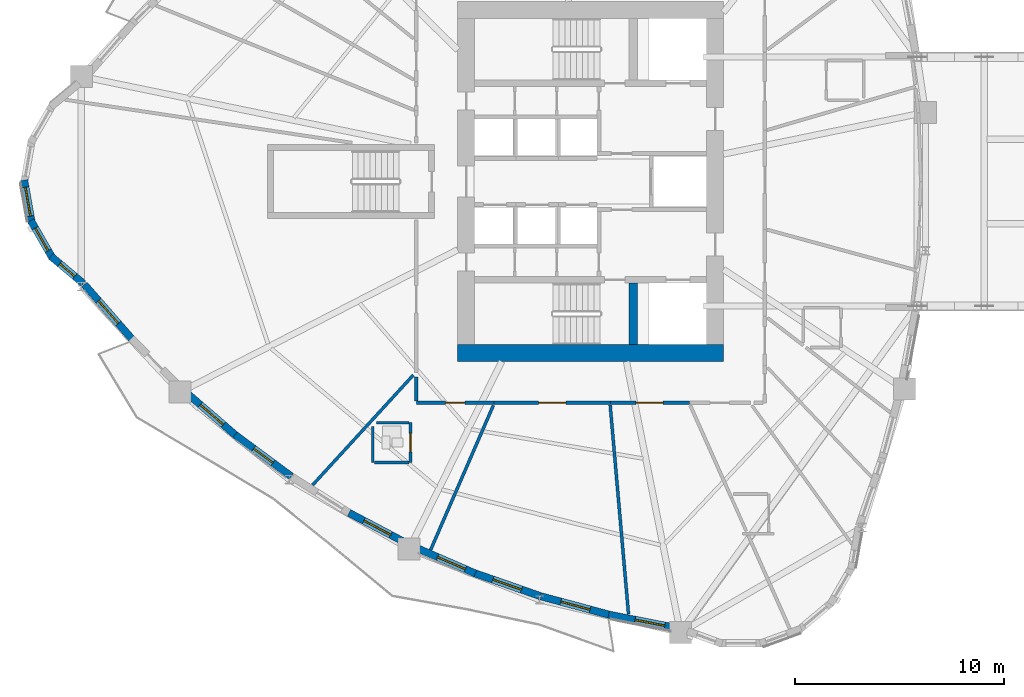
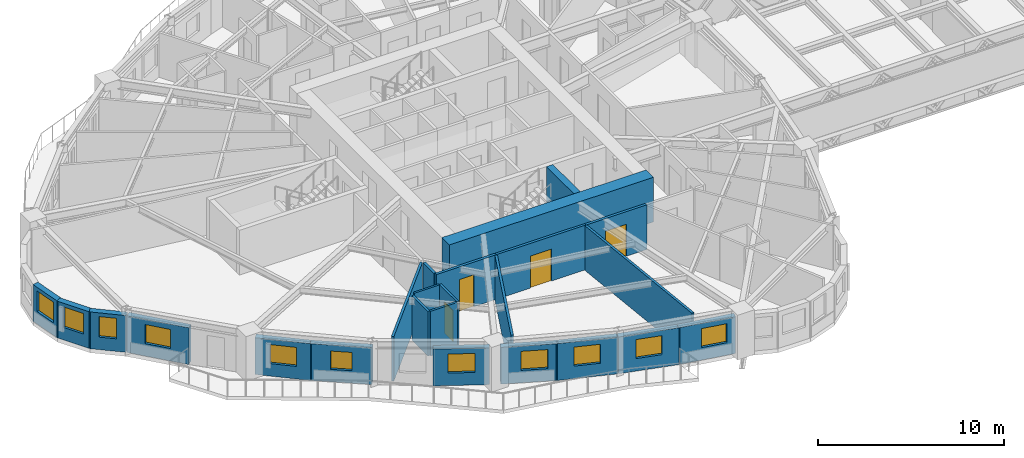
# One storey, part 6 of 18: 24 walls, 11 windows, 4 doors, 15 openings.
"""IFC4 building model written with IfcOpenShell, lengths in metres."""

from ifc_helpers import new_model, si_unit, direction, frame, frame_2d, origin, place, context, subcontext, project, spatial, rectangle, extrude, source, transform, mapped, material, layer, layer_set, type_object, element, fill, save


model = new_model("IFC4")

# Units and contexts
model_context = context("Model", 3, precision=1e-05, world=origin(), true_north=direction((0.0, 1.0)))
body_context = subcontext(model_context, "Body", "Model", "MODEL_VIEW")
ifc_project = project(units=[si_unit("LENGTHUNIT", "METRE"), si_unit("AREAUNIT", "SQUARE_METRE"), si_unit("VOLUMEUNIT", "CUBIC_METRE"), si_unit("PLANEANGLEUNIT", "RADIAN"), si_unit("MASSUNIT", "GRAM", prefix="KILO")], contexts=[model_context])

# Site, building, storey
site_placement = place(None, origin())
site = spatial("IfcSite", under=ifc_project, at=site_placement, CompositionType="ELEMENT")
building_placement = place(site_placement, origin())
building = spatial("IfcBuilding", under=site, at=building_placement, Name="Qafzar Sky-Pleat Residences", CompositionType="ELEMENT")
storey_placement = place(building_placement, frame((0.0, 0.0, 27.0)))
storey = spatial("IfcBuildingStorey", under=building, at=storey_placement, Name="L07", CompositionType="ELEMENT", Elevation=27.0)

# Wall, opening, door
ifc_material_1 = material(Name="Acoustic gypsum plasterboard partition", Category="gypsum")
ifc_layer_1 = layer(ifc_material_1, 0.159912109375)
ifc_layer_set_1 = layer_set([ifc_layer_1], Name="Acoustic gypsum plasterboard partition")
wall_type_1 = type_object("IfcWallType", Name="PART-COR-160", PredefinedType="PARTITIONING", material=ifc_layer_set_1)
wall_1_placement = place(storey_placement, frame((31.2939453125, 15.419921875, 0.0), z_axis=(0.0, 0.0, 1.0), x_axis=(-1.0, 0.0, 0.0)))
wall_1 = element("IfcWall", 1, at=wall_1_placement, inside=storey, type_object=wall_type_1, Name="L07 Partition Wall PART-L07-PW-003", PredefinedType="PARTITIONING", context=body_context, shape_type="SweptSolid", body=[
    extrude(rectangle(XDim=5.553955078125, YDim=0.159912109375, at=frame_2d((2.77685546875, 0.0))), origin(), (0.0, 0.0, 1.0), 2.93505859375),
])
opening_1_placement = place(wall_1_placement, frame((2.12646484375, 0.0, 0.0)))
opening_1 = element("IfcOpeningElement", 2, at=opening_1_placement, cuts=wall_1, Name="Opening ID-05", PredefinedType="OPENING", context=body_context, shape_type="SweptSolid", body=[
    extrude(rectangle(XDim=1.300048828125, YDim=2.10009765625, at=frame_2d((0.64990234375, 1.050048828125))), frame((0.0, 0.08984375, 0.0), z_axis=(0.0, -1.0, 0.0), x_axis=(1.0, 0.0, 0.0)), (0.0, 0.0, 1.0), 0.179931640625),
])
ifc_material_2 = material(Name="Timber-faced fire door", Category="wood")
door_type_1 = type_object("IfcDoorType", Name="DR-LNG-1300", OperationType="DOUBLE_DOOR_SINGLE_SWING", PredefinedType="DOOR", material=ifc_material_2)
shared_shape_1 = source(origin(), body_context, "Body", "SweptSolid", [
    extrude(rectangle(XDim=1.300048828125, YDim=2.10009765625, at=frame_2d((0.64990234375, 1.050048828125))), frame((0.0, 0.02490234375, 0.0), z_axis=(0.0, -1.0, 0.0), x_axis=(1.0, 0.0, 0.0)), (0.0, 0.0, 1.0), 0.050048828125),
])
door_1_placement = place(opening_1_placement, origin())
door_1 = element("IfcDoor", 3, at=door_1_placement, inside=storey, type_object=door_type_1, Name="L07 Tutorial Huddle Room Door", OperationType="DOUBLE_DOOR_SINGLE_SWING", OverallHeight=2.10009765625, OverallWidth=1.300048828125, PredefinedType="DOOR", context=body_context, shape_type="MappedRepresentation", body=[
    mapped(shared_shape_1, transform((0.0, 0.0, 0.0), x_axis=(1.0, 0.0, 0.0), y_axis=(0.0, 1.0, 0.0), z_axis=(0.0, 0.0, 1.0), scale=1.0)),
])
fill(opening_1, door_1)

wall_2_placement = place(storey_placement, frame((35.080078125, 15.419921875, 0.0), z_axis=(0.0, 0.0, 1.0), x_axis=(-1.0, 0.0, 0.0)))
wall_2 = element("IfcWall", 4, at=wall_2_placement, inside=storey, type_object=wall_type_1, Name="L07 Partition Wall PART-L07-PW-009", PredefinedType="PARTITIONING", context=body_context, shape_type="SweptSolid", body=[
    extrude(rectangle(XDim=3.77099609375, YDim=0.159912109375, at=frame_2d((1.885498046875, 0.0))), origin(), (0.0, 0.0, 1.0), 2.93505859375),
])
opening_2_placement = place(wall_2_placement, frame((1.258544921875, 0.0, 0.0)))
opening_2 = element("IfcOpeningElement", 5, at=opening_2_placement, cuts=wall_2, Name="Opening ID-05", PredefinedType="OPENING", context=body_context, shape_type="SweptSolid", body=[
    extrude(rectangle(XDim=1.300048828125, YDim=2.10009765625, at=frame_2d((0.64990234375, 1.050048828125))), frame((0.0, 0.08984375, 0.0), z_axis=(0.0, -1.0, 0.0), x_axis=(1.0, 0.0, 0.0)), (0.0, 0.0, 1.0), 0.179931640625),
])
door_2_placement = place(opening_2_placement, origin())
door_2 = element("IfcDoor", 6, at=door_2_placement, inside=storey, type_object=door_type_1, Name="L07 Research Conference Room Door", OperationType="DOUBLE_DOOR_SINGLE_SWING", OverallHeight=2.10009765625, OverallWidth=1.300048828125, PredefinedType="DOOR", context=body_context, shape_type="MappedRepresentation", body=[
    mapped(shared_shape_1, transform((0.0, 0.0, 0.0), x_axis=(1.0, 0.0, 0.0), y_axis=(0.0, 1.0, 0.0), z_axis=(0.0, 0.0, 1.0), scale=1.0)),
])
fill(opening_2, door_2)

wall_3_placement = place(storey_placement, frame((25.72509765625, 15.419921875, 0.0), z_axis=(0.0, 0.0, 1.0), x_axis=(-1.0, 0.0, 0.0)))
wall_3 = element("IfcWall", 7, at=wall_3_placement, inside=storey, type_object=wall_type_1, Name="L07 Partition Wall PART-L07-PW-011", PredefinedType="PARTITIONING", context=body_context, shape_type="SweptSolid", body=[
    extrude(rectangle(XDim=3.705078125, YDim=0.159912109375, at=frame_2d((1.8525390625, 0.0))), origin(), (0.0, 0.0, 1.0), 2.93505859375),
])
opening_3_placement = place(wall_3_placement, frame((1.376953125, 0.0, 0.0)))
opening_3 = element("IfcOpeningElement", 8, at=opening_3_placement, cuts=wall_3, Name="Opening ID-04", PredefinedType="OPENING", context=body_context, shape_type="SweptSolid", body=[
    extrude(rectangle(XDim=0.919921875, YDim=2.10009765625, at=frame_2d((0.4599609375, 1.050048828125))), frame((0.0, 0.08984375, 0.0), z_axis=(0.0, -1.0, 0.0), x_axis=(1.0, 0.0, 0.0)), (0.0, 0.0, 1.0), 0.179931640625),
])
door_type_2 = type_object("IfcDoorType", Name="DR-BED-920", OperationType="NOTDEFINED", PredefinedType="DOOR", material=ifc_material_2)
shared_shape_2 = source(origin(), body_context, "Body", "SweptSolid", [
    extrude(rectangle(XDim=0.919921875, YDim=2.10009765625, at=frame_2d((0.4599609375, 1.050048828125))), frame((0.0, 0.02490234375, 0.0), z_axis=(0.0, -1.0, 0.0), x_axis=(1.0, 0.0, 0.0)), (0.0, 0.0, 1.0), 0.050048828125),
])
door_3_placement = place(opening_3_placement, origin())
door_3 = element("IfcDoor", 9, at=door_3_placement, inside=storey, type_object=door_type_2, Name="L07 Co-Living Bedroom 6 Door", OperationType="SINGLE_SWING_LEFT", OverallHeight=2.10009765625, OverallWidth=0.919921875, PredefinedType="DOOR", context=body_context, shape_type="MappedRepresentation", body=[
    mapped(shared_shape_2, transform((0.0, 0.0, 0.0), x_axis=(1.0, 0.0, 0.0), y_axis=(0.0, 1.0, 0.0), z_axis=(0.0, 0.0, 1.0), scale=1.0)),
])
fill(opening_3, door_3)

# Walls
wall_4_placement = place(storey_placement, frame((22.02001953125, 15.508056640625, 0.0), z_axis=(0.0, 0.0, 1.0), x_axis=(0.0, 1.0, 0.0)))
element("IfcWall", 10, at=wall_4_placement, inside=storey, type_object=wall_type_1, Name="L07 Partition Wall PART-L07-PW-088", PredefinedType="PARTITIONING", context=body_context, shape_type="SweptSolid", body=[
    extrude(rectangle(XDim=1.1572265625, YDim=0.159912109375, at=frame_2d((0.57861328125, 0.0))), origin(), (0.0, 0.0, 1.0), 2.93505859375),
])
ifc_layer_2 = layer(ifc_material_1, 0.14501953125)
ifc_layer_set_2 = layer_set([ifc_layer_2], Name="Acoustic gypsum plasterboard partition")
wall_type_2 = type_object("IfcWallType", Name="PART-UNIT-145", PredefinedType="PARTITIONING", material=ifc_layer_set_2)
wall_5_placement = place(storey_placement, frame((31.287353515625, 15.32568359375, 0.0), z_axis=(0.0, 0.0, 1.0), x_axis=(0.087404477037, -0.99617290537, 0.0)))
element("IfcWall", 11, at=wall_5_placement, inside=storey, type_object=wall_type_2, Name="L07 Partition Wall PART-L07-PW-037", PredefinedType="PARTITIONING", context=body_context, shape_type="SweptSolid", body=[
    extrude(rectangle(XDim=10.047119140625, YDim=0.14501953125, at=frame_2d((5.0234375, 0.0))), origin(), (0.0, 0.0, 1.0), 2.93505859375),
])
wall_6_placement = place(storey_placement, frame((22.705078125, 8.392333984375, 0.0), z_axis=(0.0, 0.0, 1.0), x_axis=(0.398228422372, 0.917286282256, 0.0)))
element("IfcWall", 12, at=wall_6_placement, inside=storey, type_object=wall_type_2, Name="L07 Partition Wall PART-L07-PW-040", PredefinedType="PARTITIONING", context=body_context, shape_type="SweptSolid", body=[
    extrude(rectangle(XDim=7.53466796875, YDim=0.14501953125, at=frame_2d((3.767333984375, 0.0))), origin(), (0.0, 0.0, 1.0), 2.93505859375),
])
wall_7_placement = place(storey_placement, frame((17.064453125, 11.493408203125, 0.0), z_axis=(0.0, 0.0, 1.0), x_axis=(0.67534166785, 0.737505004502, 0.0)))
element("IfcWall", 13, at=wall_7_placement, inside=storey, type_object=wall_type_2, Name="L07 Partition Wall PART-L07-PW-045", PredefinedType="PARTITIONING", context=body_context, shape_type="SweptSolid", body=[
    extrude(rectangle(XDim=7.132080078125, YDim=0.14501953125, at=frame_2d((3.56591796875, 0.0))), origin(), (0.0, 0.0, 1.0), 2.93505859375),
])

# Wall, opening, door
ifc_material_3 = material(Name="Moisture-resistant gypsum partition", Category="gypsum")
ifc_layer_3 = layer(ifc_material_3, 0.1298828125)
ifc_layer_set_3 = layer_set([ifc_layer_3], Name="Moisture-resistant gypsum partition")
wall_type_3 = type_object("IfcWallType", Name="PART-WET-130", PredefinedType="PARTITIONING", material=ifc_layer_set_3)
wall_8_placement = place(storey_placement, frame((21.743896484375, 12.572998046875, 0.0), z_axis=(0.0, 0.0, 1.0), x_axis=(0.0, 1.0, 0.0)))
wall_8 = element("IfcWall", 14, at=wall_8_placement, inside=storey, type_object=wall_type_3, Name="L07 Partition Wall PART-L07-PW-021", PredefinedType="PARTITIONING", context=body_context, shape_type="SweptSolid", body=[
    extrude(rectangle(XDim=1.89990234375, YDim=0.1298828125, at=frame_2d((0.949951171875, 0.0))), origin(), (0.0, 0.0, 1.0), 2.93505859375),
])
opening_4_placement = place(wall_8_placement, frame((0.510009765625, 0.0, 0.0)))
opening_4 = element("IfcOpeningElement", 15, at=opening_4_placement, cuts=wall_8, Name="Opening ID-07", PredefinedType="OPENING", context=body_context, shape_type="SweptSolid", body=[
    extrude(rectangle(XDim=0.8798828125, YDim=2.050048828125, at=frame_2d((0.43994140625, 1.02490234375))), frame((0.0, 0.074951171875, 0.0), z_axis=(0.0, -1.0, 0.0), x_axis=(1.0, 0.0, 0.0)), (0.0, 0.0, 1.0), 0.14990234375),
])
door_type_3 = type_object("IfcDoorType", Name="DR-WET-880", OperationType="NOTDEFINED", PredefinedType="DOOR", material=ifc_material_2)
shared_shape_3 = source(origin(), body_context, "Body", "SweptSolid", [
    extrude(rectangle(XDim=0.8798828125, YDim=2.050048828125, at=frame_2d((0.43994140625, 1.02490234375))), frame((0.0, 0.02490234375, 0.0), z_axis=(0.0, -1.0, 0.0), x_axis=(1.0, 0.0, 0.0)), (0.0, 0.0, 1.0), 0.050048828125),
])
door_4_placement = place(opening_4_placement, origin())
door_4 = element("IfcDoor", 16, at=door_4_placement, inside=storey, type_object=door_type_3, Name="L07 En-suite Bathroom 6 Door", OperationType="SINGLE_SWING_LEFT", OverallHeight=2.050048828125, OverallWidth=0.8798828125, PredefinedType="DOOR", context=body_context, shape_type="MappedRepresentation", body=[
    mapped(shared_shape_3, transform((0.0, 0.0, 0.0), x_axis=(1.0, 0.0, 0.0), y_axis=(0.0, 1.0, 0.0), z_axis=(0.0, 0.0, 1.0), scale=1.0)),
])
fill(opening_4, door_4)

# Walls
wall_9_placement = place(storey_placement, frame((19.944091796875, 12.572998046875, 0.0), z_axis=(0.0, 0.0, 1.0), x_axis=(0.0, 1.0, 0.0)))
element("IfcWall", 17, at=wall_9_placement, inside=storey, type_object=wall_type_3, Name="L07 Partition Wall PART-L07-PW-062", PredefinedType="PARTITIONING", context=body_context, shape_type="SweptSolid", body=[
    extrude(rectangle(XDim=1.713623046875, YDim=0.1298828125, at=frame_2d((0.85693359375, 0.0))), origin(), (0.0, 0.0, 1.0), 2.93505859375),
])
wall_10_placement = place(storey_placement, frame((20.10986328125, 14.472900390625, 0.0), z_axis=(0.0, 0.0, 1.0), x_axis=(1.0, 0.0, 0.0)))
element("IfcWall", 18, at=wall_10_placement, inside=storey, type_object=wall_type_3, Name="L07 Partition Wall PART-L07-PW-072", PredefinedType="PARTITIONING", context=body_context, shape_type="SweptSolid", body=[
    extrude(rectangle(XDim=1.56103515625, YDim=0.1298828125, at=frame_2d((0.780517578125, 0.0))), origin(), (0.0, 0.0, 1.0), 2.93505859375),
])
wall_11_placement = place(storey_placement, frame((20.01708984375, 12.572998046875, 0.0), z_axis=(0.0, 0.0, 1.0), x_axis=(1.0, 0.0, 0.0)))
element("IfcWall", 19, at=wall_11_placement, inside=storey, type_object=wall_type_3, Name="L07 Partition Wall PART-L07-PW-073", PredefinedType="PARTITIONING", context=body_context, shape_type="SweptSolid", body=[
    extrude(rectangle(XDim=1.65380859375, YDim=0.1298828125, at=frame_2d((0.826904296875, 0.0))), origin(), (0.0, 0.0, 1.0), 2.93505859375),
])

# Wall, opening, window
ifc_material_4 = material(Name="Precast concrete C40/50 with honed Riyadh limestone", Category="concrete")
ifc_layer_4 = layer(ifc_material_4, 0.35009765625)
ifc_layer_set_4 = layer_set([ifc_layer_4], Name="Precast concrete C40/50 with honed Riyadh limestone")
wall_type_4 = type_object("IfcWallType", Name="WALL-EXT-350", PredefinedType="SOLIDWALL", material=ifc_layer_set_4)
wall_12_placement = place(storey_placement, frame((3.275634765625, 26.06787109375, 0.0), z_axis=(0.0, 0.0, 1.0), x_axis=(0.173672066494, -0.984803540469, 0.0)))
wall_12 = element("IfcWall", 20, at=wall_12_placement, inside=storey, type_object=wall_type_4, Name="L07 Limestone Facade Wall 4", PredefinedType="SOLIDWALL", context=body_context, shape_type="SweptSolid", body=[
    extrude(rectangle(XDim=2.09033203125, YDim=0.35009765625, at=frame_2d((1.045166015625, 0.0))), origin(), (0.0, 0.0, 1.0), 2.4150390625),
])
opening_5_placement = place(wall_12_placement, frame((0.34521484375, 0.0, 0.820068359375)))
opening_5 = element("IfcOpeningElement", 21, at=opening_5_placement, cuts=wall_12, Name="Opening WN-10", PredefinedType="OPENING", context=body_context, shape_type="SweptSolid", body=[
    extrude(rectangle(XDim=1.39990234375, YDim=1.35009765625, at=frame_2d((0.699951171875, 0.675048828125))), frame((0.0, 0.18505859375, 0.0), z_axis=(0.0, -1.0, 0.0), x_axis=(1.0, 0.0, 0.0)), (0.0, 0.0, 1.0), 0.3701171875),
])
ifc_material_5 = material(Name="Solar-control low-E glass in bronze aluminium frame", Category="glass")
window_type_1 = type_object("IfcWindowType", Name="WIN-10", PartitioningType="SINGLE_PANEL", PredefinedType="WINDOW", material=ifc_material_5)
shared_shape_4 = source(origin(), body_context, "Body", "SweptSolid", [
    extrude(rectangle(XDim=1.39990234375, YDim=1.35009765625, at=frame_2d((0.699951171875, 0.675048828125))), frame((0.0, 0.030029296875, 0.0), z_axis=(0.0, -1.0, 0.0), x_axis=(1.0, 0.0, 0.0)), (0.0, 0.0, 1.0), 0.06005859375),
])
window_1_placement = place(opening_5_placement, origin())
window_1 = element("IfcWindow", 22, at=window_1_placement, inside=storey, type_object=window_type_1, Name="L07 Punched Facade Window 04", OverallHeight=1.35009765625, OverallWidth=1.39990234375, PartitioningType="SINGLE_PANEL", PredefinedType="WINDOW", context=body_context, shape_type="MappedRepresentation", body=[
    mapped(shared_shape_4, transform((0.0, 0.0, 0.0), x_axis=(1.0, 0.0, 0.0), y_axis=(0.0, 1.0, 0.0), z_axis=(0.0, 0.0, 1.0), scale=1.0)),
])
fill(opening_5, window_1)

wall_13_placement = place(storey_placement, frame((3.59228515625, 24.13671875, 0.0), z_axis=(0.0, 0.0, 1.0), x_axis=(0.499995423472, -0.866028046028, 0.0)))
wall_13 = element("IfcWall", 23, at=wall_13_placement, inside=storey, type_object=wall_type_4, Name="L07 Limestone Facade Wall 5", PredefinedType="SOLIDWALL", context=body_context, shape_type="SweptSolid", body=[
    extrude(rectangle(XDim=2.09033203125, YDim=0.35009765625, at=frame_2d((1.045166015625, 0.0))), origin(), (0.0, 0.0, 1.0), 2.4150390625),
])
opening_6_placement = place(wall_13_placement, frame((0.420166015625, 0.0, 0.820068359375)))
opening_6 = element("IfcOpeningElement", 24, at=opening_6_placement, cuts=wall_13, Name="Opening WN-11", PredefinedType="OPENING", context=body_context, shape_type="SweptSolid", body=[
    extrude(rectangle(XDim=1.25, YDim=1.35009765625, at=frame_2d((0.625, 0.675048828125))), frame((0.0, 0.18505859375, 0.0), z_axis=(0.0, -1.0, 0.0), x_axis=(1.0, 0.0, 0.0)), (0.0, 0.0, 1.0), 0.3701171875),
])
window_type_2 = type_object("IfcWindowType", Name="WIN-11", PartitioningType="SINGLE_PANEL", PredefinedType="WINDOW", material=ifc_material_5)
shared_shape_5 = source(origin(), body_context, "Body", "SweptSolid", [
    extrude(rectangle(XDim=1.25, YDim=1.35009765625, at=frame_2d((0.625, 0.675048828125))), frame((0.0, 0.030029296875, 0.0), z_axis=(0.0, -1.0, 0.0), x_axis=(1.0, 0.0, 0.0)), (0.0, 0.0, 1.0), 0.06005859375),
])
window_2_placement = place(opening_6_placement, origin())
window_2 = element("IfcWindow", 25, at=window_2_placement, inside=storey, type_object=window_type_2, Name="L07 Punched Facade Window 05", OverallHeight=1.35009765625, OverallWidth=1.25, PartitioningType="SINGLE_PANEL", PredefinedType="WINDOW", context=body_context, shape_type="MappedRepresentation", body=[
    mapped(shared_shape_5, transform((0.0, 0.0, 0.0), x_axis=(1.0, 0.0, 0.0), y_axis=(0.0, 1.0, 0.0), z_axis=(0.0, 0.0, 1.0), scale=1.0)),
])
fill(opening_6, window_2)

wall_14_placement = place(storey_placement, frame((4.55029296875, 22.430419921875, 0.0), z_axis=(0.0, 0.0, 1.0), x_axis=(0.766040796373, -0.642791955684, 0.0)))
wall_14 = element("IfcWall", 26, at=wall_14_placement, inside=storey, type_object=wall_type_4, Name="L07 Limestone Facade Wall 6", PredefinedType="SOLIDWALL", context=body_context, shape_type="SweptSolid", body=[
    extrude(rectangle(XDim=2.032470703125, YDim=0.35009765625, at=frame_2d((1.01611328125, 0.0))), origin(), (0.0, 0.0, 1.0), 2.4150390625),
])
opening_7_placement = place(wall_14_placement, frame((0.55126953125, 0.0, 0.820068359375)))
opening_7 = element("IfcOpeningElement", 27, at=opening_7_placement, cuts=wall_14, Name="Opening WN-12", PredefinedType="OPENING", context=body_context, shape_type="SweptSolid", body=[
    extrude(rectangle(XDim=0.949951171875, YDim=1.35009765625, at=frame_2d((0.47509765625, 0.675048828125))), frame((0.0, 0.18505859375, 0.0), z_axis=(0.0, -1.0, 0.0), x_axis=(1.0, 0.0, 0.0)), (0.0, 0.0, 1.0), 0.3701171875),
])
window_type_3 = type_object("IfcWindowType", Name="WIN-12", PartitioningType="SINGLE_PANEL", PredefinedType="WINDOW", material=ifc_material_5)
shared_shape_6 = source(origin(), body_context, "Body", "SweptSolid", [
    extrude(rectangle(XDim=0.949951171875, YDim=1.35009765625, at=frame_2d((0.47509765625, 0.675048828125))), frame((0.0, 0.030029296875, 0.0), z_axis=(0.0, -1.0, 0.0), x_axis=(1.0, 0.0, 0.0)), (0.0, 0.0, 1.0), 0.06005859375),
])
window_3_placement = place(opening_7_placement, origin())
window_3 = element("IfcWindow", 28, at=window_3_placement, inside=storey, type_object=window_type_3, Name="L07 Punched Facade Window 06", OverallHeight=1.35009765625, OverallWidth=0.949951171875, PartitioningType="SINGLE_PANEL", PredefinedType="WINDOW", context=body_context, shape_type="MappedRepresentation", body=[
    mapped(shared_shape_6, transform((0.0, 0.0, 0.0), x_axis=(1.0, 0.0, 0.0), y_axis=(0.0, 1.0, 0.0), z_axis=(0.0, 0.0, 1.0), scale=1.0)),
])
fill(opening_7, window_3)

wall_15_placement = place(storey_placement, frame((6.155029296875, 21.0771484375, 0.0), z_axis=(0.0, 0.0, 1.0), x_axis=(0.657593785467, -0.753372692175, 0.0)))
wall_15 = element("IfcWall", 29, at=wall_15_placement, inside=storey, type_object=wall_type_4, Name="L07 Limestone Facade Wall 7", PredefinedType="SOLIDWALL", context=body_context, shape_type="SweptSolid", body=[
    extrude(rectangle(XDim=3.512451171875, YDim=0.35009765625, at=frame_2d((1.75634765625, 0.0))), origin(), (0.0, 0.0, 1.0), 2.4150390625),
])
opening_8_placement = place(wall_15_placement, frame((1.021240234375, 0.0, 0.820068359375)))
opening_8 = element("IfcOpeningElement", 30, at=opening_8_placement, cuts=wall_15, Name="Opening WN-15", PredefinedType="OPENING", context=body_context, shape_type="SweptSolid", body=[
    extrude(rectangle(XDim=1.449951171875, YDim=1.25, at=frame_2d((0.72509765625, 0.625))), frame((0.0, 0.18505859375, 0.0), z_axis=(0.0, -1.0, 0.0), x_axis=(1.0, 0.0, 0.0)), (0.0, 0.0, 1.0), 0.3701171875),
])
window_type_4 = type_object("IfcWindowType", Name="WIN-15", PartitioningType="SINGLE_PANEL", PredefinedType="WINDOW", material=ifc_material_5)
shared_shape_7 = source(origin(), body_context, "Body", "SweptSolid", [
    extrude(rectangle(XDim=1.449951171875, YDim=1.25, at=frame_2d((0.72509765625, 0.625))), frame((0.0, 0.030029296875, 0.0), z_axis=(0.0, -1.0, 0.0), x_axis=(1.0, 0.0, 0.0)), (0.0, 0.0, 1.0), 0.06005859375),
])
window_4_placement = place(opening_8_placement, origin())
window_4 = element("IfcWindow", 31, at=window_4_placement, inside=storey, type_object=window_type_4, Name="L07 Punched Facade Window 07", OverallHeight=1.25, OverallWidth=1.449951171875, PartitioningType="SINGLE_PANEL", PredefinedType="WINDOW", context=body_context, shape_type="MappedRepresentation", body=[
    mapped(shared_shape_7, transform((0.0, 0.0, 0.0), x_axis=(1.0, 0.0, 0.0), y_axis=(0.0, 1.0, 0.0), z_axis=(0.0, 0.0, 1.0), scale=1.0)),
])
fill(opening_8, window_4)

wall_16_placement = place(storey_placement, frame((11.0732421875, 15.8662109375, 0.0), z_axis=(0.0, 0.0, 1.0), x_axis=(0.75751592545, -0.652816683833, 0.0)))
wall_16 = element("IfcWall", 32, at=wall_16_placement, inside=storey, type_object=wall_type_4, Name="L07 Limestone Facade Wall 9", PredefinedType="SOLIDWALL", context=body_context, shape_type="SweptSolid", body=[
    extrude(rectangle(XDim=3.103759765625, YDim=0.35009765625, at=frame_2d((1.5517578125, 0.0))), origin(), (0.0, 0.0, 1.0), 2.4150390625),
])
opening_9_placement = place(wall_16_placement, frame((0.82177734375, 0.0, 0.820068359375)))
opening_9 = element("IfcOpeningElement", 33, at=opening_9_placement, cuts=wall_16, Name="Opening WN-15", PredefinedType="OPENING", context=body_context, shape_type="SweptSolid", body=[
    extrude(rectangle(XDim=1.449951171875, YDim=1.25, at=frame_2d((0.72509765625, 0.625))), frame((0.0, 0.18505859375, 0.0), z_axis=(0.0, -1.0, 0.0), x_axis=(1.0, 0.0, 0.0)), (0.0, 0.0, 1.0), 0.3701171875),
])
window_5_placement = place(opening_9_placement, origin())
window_5 = element("IfcWindow", 34, at=window_5_placement, inside=storey, type_object=window_type_4, Name="L07 Punched Facade Window 09", OverallHeight=1.25, OverallWidth=1.449951171875, PartitioningType="SINGLE_PANEL", PredefinedType="WINDOW", context=body_context, shape_type="MappedRepresentation", body=[
    mapped(shared_shape_7, transform((0.0, 0.0, 0.0), x_axis=(1.0, 0.0, 0.0), y_axis=(0.0, 1.0, 0.0), z_axis=(0.0, 0.0, 1.0), scale=1.0)),
])
fill(opening_9, window_5)

wall_17_placement = place(storey_placement, frame((13.354736328125, 13.8955078125, 0.0), z_axis=(0.0, 0.0, 1.0), x_axis=(0.803836316566, -0.594850549441, 0.0)))
wall_17 = element("IfcWall", 35, at=wall_17_placement, inside=storey, type_object=wall_type_4, Name="L07 Limestone Facade Wall 10", PredefinedType="SOLIDWALL", context=body_context, shape_type="SweptSolid", body=[
    extrude(rectangle(XDim=3.345703125, YDim=0.35009765625, at=frame_2d((1.6728515625, 0.0))), origin(), (0.0, 0.0, 1.0), 2.4150390625),
])
opening_10_placement = place(wall_17_placement, frame((1.10791015625, 0.0, 0.820068359375)))
opening_10 = element("IfcOpeningElement", 36, at=opening_10_placement, cuts=wall_17, Name="Opening WN-16", PredefinedType="OPENING", context=body_context, shape_type="SweptSolid", body=[
    extrude(rectangle(XDim=1.14990234375, YDim=1.199951171875, at=frame_2d((0.574951171875, 0.60009765625))), frame((0.0, 0.18505859375, 0.0), z_axis=(0.0, -1.0, 0.0), x_axis=(1.0, 0.0, 0.0)), (0.0, 0.0, 1.0), 0.3701171875),
])
window_type_5 = type_object("IfcWindowType", Name="WIN-16", PartitioningType="SINGLE_PANEL", PredefinedType="WINDOW", material=ifc_material_5)
shared_shape_8 = source(origin(), body_context, "Body", "SweptSolid", [
    extrude(rectangle(XDim=1.14990234375, YDim=1.199951171875, at=frame_2d((0.574951171875, 0.60009765625))), frame((0.0, 0.030029296875, 0.0), z_axis=(0.0, -1.0, 0.0), x_axis=(1.0, 0.0, 0.0)), (0.0, 0.0, 1.0), 0.06005859375),
])
window_6_placement = place(opening_10_placement, origin())
window_6 = element("IfcWindow", 37, at=window_6_placement, inside=storey, type_object=window_type_5, Name="L07 Punched Facade Window 10", OverallHeight=1.199951171875, OverallWidth=1.14990234375, PartitioningType="SINGLE_PANEL", PredefinedType="WINDOW", context=body_context, shape_type="MappedRepresentation", body=[
    mapped(shared_shape_8, transform((0.0, 0.0, 0.0), x_axis=(1.0, 0.0, 0.0), y_axis=(0.0, 1.0, 0.0), z_axis=(0.0, 0.0, 1.0), scale=1.0)),
])
fill(opening_10, window_6)

wall_18_placement = place(storey_placement, frame((18.804931640625, 10.1630859375, 0.0), z_axis=(0.0, 0.0, 1.0), x_axis=(0.884387509242, -0.466753396877, 0.0)))
wall_18 = element("IfcWall", 38, at=wall_18_placement, inside=storey, type_object=wall_type_4, Name="L07 Limestone Facade Wall 12", PredefinedType="SOLIDWALL", context=body_context, shape_type="SweptSolid", body=[
    extrude(rectangle(XDim=3.046875, YDim=0.35009765625, at=frame_2d((1.5234375, 0.0))), origin(), (0.0, 0.0, 1.0), 2.4150390625),
])
opening_11_placement = place(wall_18_placement, frame((0.803466796875, 0.0, 0.820068359375)))
opening_11 = element("IfcOpeningElement", 39, at=opening_11_placement, cuts=wall_18, Name="Opening WN-15", PredefinedType="OPENING", context=body_context, shape_type="SweptSolid", body=[
    extrude(rectangle(XDim=1.449951171875, YDim=1.25, at=frame_2d((0.72509765625, 0.625))), frame((0.0, 0.18505859375, 0.0), z_axis=(0.0, -1.0, 0.0), x_axis=(1.0, 0.0, 0.0)), (0.0, 0.0, 1.0), 0.3701171875),
])
window_7_placement = place(opening_11_placement, origin())
window_7 = element("IfcWindow", 40, at=window_7_placement, inside=storey, type_object=window_type_4, Name="L07 Punched Facade Window 12", OverallHeight=1.25, OverallWidth=1.449951171875, PartitioningType="SINGLE_PANEL", PredefinedType="WINDOW", context=body_context, shape_type="MappedRepresentation", body=[
    mapped(shared_shape_7, transform((0.0, 0.0, 0.0), x_axis=(1.0, 0.0, 0.0), y_axis=(0.0, 1.0, 0.0), z_axis=(0.0, 0.0, 1.0), scale=1.0)),
])
fill(opening_11, window_7)

wall_19_placement = place(storey_placement, frame((22.028076171875, 8.487060546875, 0.0), z_axis=(0.0, 0.0, 1.0), x_axis=(0.917081449464, -0.398699906006, 0.0)))
wall_19 = element("IfcWall", 41, at=wall_19_placement, inside=storey, type_object=wall_type_4, Name="L07 Limestone Facade Wall 13", PredefinedType="SOLIDWALL", context=body_context, shape_type="SweptSolid", body=[
    extrude(rectangle(XDim=3.06591796875, YDim=0.35009765625, at=frame_2d((1.532958984375, 0.0))), origin(), (0.0, 0.0, 1.0), 2.4150390625),
])
opening_12_placement = place(wall_19_placement, frame((1.097412109375, 0.0, 0.820068359375)))
opening_12 = element("IfcOpeningElement", 42, at=opening_12_placement, cuts=wall_19, Name="Opening WN-15", PredefinedType="OPENING", context=body_context, shape_type="SweptSolid", body=[
    extrude(rectangle(XDim=1.449951171875, YDim=1.25, at=frame_2d((0.72509765625, 0.625))), frame((0.0, 0.18505859375, 0.0), z_axis=(0.0, -1.0, 0.0), x_axis=(1.0, 0.0, 0.0)), (0.0, 0.0, 1.0), 0.3701171875),
])
window_8_placement = place(opening_12_placement, origin())
window_8 = element("IfcWindow", 43, at=window_8_placement, inside=storey, type_object=window_type_4, Name="L07 Punched Facade Window 13-2", OverallHeight=1.25, OverallWidth=1.449951171875, PartitioningType="SINGLE_PANEL", PredefinedType="WINDOW", context=body_context, shape_type="MappedRepresentation", body=[
    mapped(shared_shape_7, transform((0.0, 0.0, 0.0), x_axis=(1.0, 0.0, 0.0), y_axis=(0.0, 1.0, 0.0), z_axis=(0.0, 0.0, 1.0), scale=1.0)),
])
fill(opening_12, window_8)

wall_20_placement = place(storey_placement, frame((24.757080078125, 7.297119140625, 0.0), z_axis=(0.0, 0.0, 1.0), x_axis=(0.944122401027, -0.329595042254, 0.0)))
wall_20 = element("IfcWall", 44, at=wall_20_placement, inside=storey, type_object=wall_type_4, Name="L07 Limestone Facade Wall 14", PredefinedType="SOLIDWALL", context=body_context, shape_type="SweptSolid", body=[
    extrude(rectangle(XDim=3.383544921875, YDim=0.35009765625, at=frame_2d((1.69189453125, 0.0))), origin(), (0.0, 0.0, 1.0), 2.4150390625),
])
opening_13_placement = place(wall_20_placement, frame((0.976806640625, 0.0, 0.820068359375)))
opening_13 = element("IfcOpeningElement", 45, at=opening_13_placement, cuts=wall_20, Name="Opening WN-15", PredefinedType="OPENING", context=body_context, shape_type="SweptSolid", body=[
    extrude(rectangle(XDim=1.449951171875, YDim=1.25, at=frame_2d((0.72509765625, 0.625))), frame((0.0, 0.18505859375, 0.0), z_axis=(0.0, -1.0, 0.0), x_axis=(1.0, 0.0, 0.0)), (0.0, 0.0, 1.0), 0.3701171875),
])
window_9_placement = place(opening_13_placement, origin())
window_9 = element("IfcWindow", 46, at=window_9_placement, inside=storey, type_object=window_type_4, Name="L07 Punched Facade Window 14", OverallHeight=1.25, OverallWidth=1.449951171875, PartitioningType="SINGLE_PANEL", PredefinedType="WINDOW", context=body_context, shape_type="MappedRepresentation", body=[
    mapped(shared_shape_7, transform((0.0, 0.0, 0.0), x_axis=(1.0, 0.0, 0.0), y_axis=(0.0, 1.0, 0.0), z_axis=(0.0, 0.0, 1.0), scale=1.0)),
])
fill(opening_13, window_9)

wall_21_placement = place(storey_placement, frame((27.977783203125, 6.173828125, 0.0), z_axis=(0.0, 0.0, 1.0), x_axis=(0.965451765427, -0.260581827136, 0.0)))
wall_21 = element("IfcWall", 47, at=wall_21_placement, inside=storey, type_object=wall_type_4, Name="L07 Limestone Facade Wall 15", PredefinedType="SOLIDWALL", context=body_context, shape_type="SweptSolid", body=[
    extrude(rectangle(XDim=3.439453125, YDim=0.35009765625, at=frame_2d((1.7197265625, 0.0))), origin(), (0.0, 0.0, 1.0), 2.4150390625),
])
opening_14_placement = place(wall_21_placement, frame((0.984619140625, 0.0, 0.820068359375)))
opening_14 = element("IfcOpeningElement", 48, at=opening_14_placement, cuts=wall_21, Name="Opening WN-15", PredefinedType="OPENING", context=body_context, shape_type="SweptSolid", body=[
    extrude(rectangle(XDim=1.449951171875, YDim=1.25, at=frame_2d((0.72509765625, 0.625))), frame((0.0, 0.18505859375, 0.0), z_axis=(0.0, -1.0, 0.0), x_axis=(1.0, 0.0, 0.0)), (0.0, 0.0, 1.0), 0.3701171875),
])
window_10_placement = place(opening_14_placement, origin())
window_10 = element("IfcWindow", 49, at=window_10_placement, inside=storey, type_object=window_type_4, Name="L07 Punched Facade Window 15", OverallHeight=1.25, OverallWidth=1.449951171875, PartitioningType="SINGLE_PANEL", PredefinedType="WINDOW", context=body_context, shape_type="MappedRepresentation", body=[
    mapped(shared_shape_7, transform((0.0, 0.0, 0.0), x_axis=(1.0, 0.0, 0.0), y_axis=(0.0, 1.0, 0.0), z_axis=(0.0, 0.0, 1.0), scale=1.0)),
])
fill(opening_14, window_10)

wall_22_placement = place(storey_placement, frame((31.212646484375, 5.297607421875, 0.0), z_axis=(0.0, 0.0, 1.0), x_axis=(0.9812345335, -0.192818023709, 0.0)))
wall_22 = element("IfcWall", 50, at=wall_22_placement, inside=storey, type_object=wall_type_4, Name="L07 Limestone Facade Wall 16", PredefinedType="SOLIDWALL", context=body_context, shape_type="SweptSolid", body=[
    extrude(rectangle(XDim=3.232421875, YDim=0.35009765625, at=frame_2d((1.6162109375, 0.0))), origin(), (0.0, 0.0, 1.0), 2.4150390625),
])
opening_15_placement = place(wall_22_placement, frame((1.287353515625, 0.0, 0.820068359375)))
opening_15 = element("IfcOpeningElement", 51, at=opening_15_placement, cuts=wall_22, Name="Opening WN-15", PredefinedType="OPENING", context=body_context, shape_type="SweptSolid", body=[
    extrude(rectangle(XDim=1.449951171875, YDim=1.25, at=frame_2d((0.72509765625, 0.625))), frame((0.0, 0.18505859375, 0.0), z_axis=(0.0, -1.0, 0.0), x_axis=(1.0, 0.0, 0.0)), (0.0, 0.0, 1.0), 0.3701171875),
])
window_11_placement = place(opening_15_placement, origin())
window_11 = element("IfcWindow", 52, at=window_11_placement, inside=storey, type_object=window_type_4, Name="L07 Punched Facade Window 16-2", OverallHeight=1.25, OverallWidth=1.449951171875, PartitioningType="SINGLE_PANEL", PredefinedType="WINDOW", context=body_context, shape_type="MappedRepresentation", body=[
    mapped(shared_shape_7, transform((0.0, 0.0, 0.0), x_axis=(1.0, 0.0, 0.0), y_axis=(0.0, 1.0, 0.0), z_axis=(0.0, 0.0, 1.0), scale=1.0)),
])
fill(opening_15, window_11)

# Walls
ifc_material_6 = material(Name="Concrete C60/75", Category="concrete")
ifc_layer_5 = layer(ifc_material_6, 0.39990234375)
ifc_layer_set_5 = layer_set([ifc_layer_5], Name="Concrete C60/75")
wall_type_5 = type_object("IfcWallType", Name="WALL-SHEAR-400", PredefinedType="SHEAR", material=ifc_layer_set_5)
wall_23_placement = place(storey_placement, frame((32.39990234375, 18.199951171875, 0.0), z_axis=(0.0, 0.0, 1.0), x_axis=(0.0, 1.0, 0.0)))
element("IfcWall", 53, at=wall_23_placement, inside=storey, type_object=wall_type_5, Name="L07 Stair ST1 East Dividing Wall", PredefinedType="SHEAR", context=body_context, shape_type="SweptSolid", body=[
    extrude(rectangle(XDim=2.949951171875, YDim=0.39990234375, at=frame_2d((1.47509765625, 0.0))), origin(), (0.0, 0.0, 1.0), 2.93505859375),
])
ifc_layer_6 = layer(ifc_material_6, 0.800048828125)
ifc_layer_set_6 = layer_set([ifc_layer_6], Name="Concrete C60/75")
wall_type_6 = type_object("IfcWallType", Name="WALL-SHEAR-800", PredefinedType="SHEAR", material=ifc_layer_set_6)
wall_24_placement = place(storey_placement, frame((24.0, 17.800048828125, 0.0), z_axis=(0.0, 0.0, 1.0), x_axis=(1.0, 0.0, 0.0)))
element("IfcWall", 54, at=wall_24_placement, inside=storey, type_object=wall_type_6, Name="L07 CORE wall S", PredefinedType="SHEAR", context=body_context, shape_type="SweptSolid", body=[
    extrude(rectangle(XDim=12.699951171875, YDim=0.800048828125, at=frame_2d((6.35009765625, 0.0))), origin(), (0.0, 0.0, 1.0), 2.93505859375),
])

save(model, "model.ifc")
